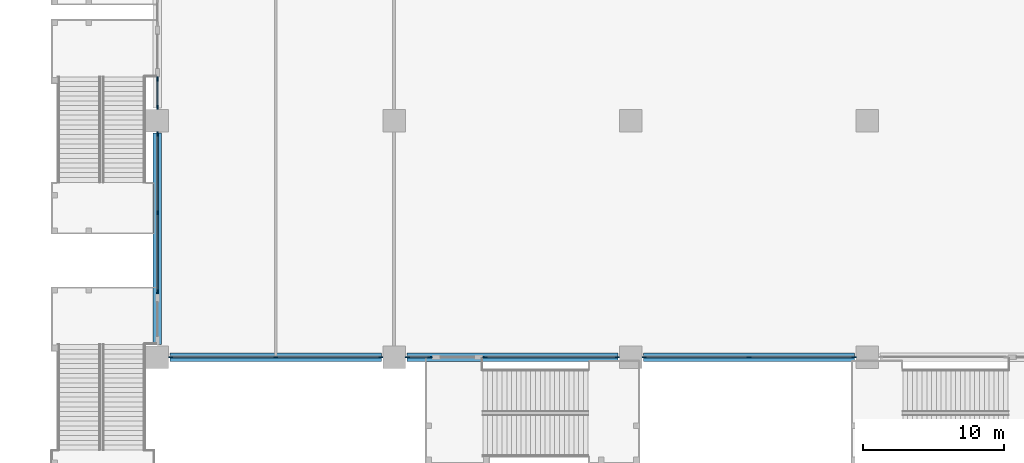
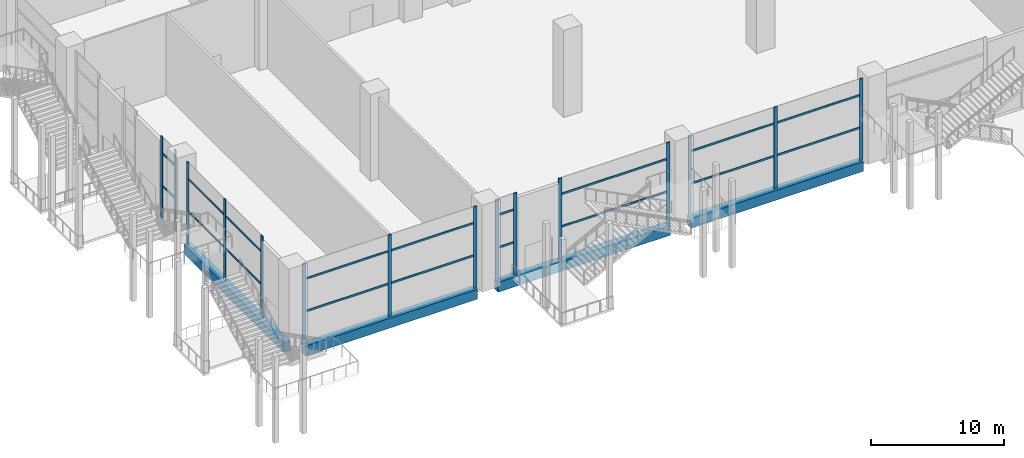
# One storey, part 4 of 52: 33 members, 4 beams, 6 elements without a shape of their own.
"""IFC4 building model written with IfcOpenShell, lengths in metres."""

from ifc_helpers import new_model, si_unit, direction, frame, origin, origin_2d, place, context, subcontext, project, spatial, rectangle, extrude, material, material_profile, profile_set, type_object, element, aggregate, save


model = new_model("IFC4")

# Units and contexts
model_context = context("Model", 3, precision=1e-05, world=origin(), true_north=direction((0.0, 1.0)))
body_context = subcontext(model_context, "Body", "Model", "MODEL_VIEW")
ifc_project = project(units=[si_unit("LENGTHUNIT", "METRE"), si_unit("AREAUNIT", "SQUARE_METRE"), si_unit("VOLUMEUNIT", "CUBIC_METRE"), si_unit("PLANEANGLEUNIT", "RADIAN"), si_unit("MASSUNIT", "GRAM", prefix="KILO")], contexts=[model_context])

# Site, building, storey
site_placement = place(None, origin())
site = spatial("IfcSite", under=ifc_project, at=site_placement, CompositionType="ELEMENT")
building_placement = place(site_placement, origin())
building = spatial("IfcBuilding", under=site, at=building_placement, Name="Candeia Pilgrim Tower and Theatre", CompositionType="ELEMENT")
storey_placement = place(building_placement, frame((0.0, 0.0, 9.0)))
storey = spatial("IfcBuildingStorey", under=building, at=storey_placement, Name="L01", CompositionType="ELEMENT", Elevation=9.0)

# Curtain wall, members
ifc_material_1 = material(Name="Aluminium framed podium glazing", Category="aluminium")
curtain_wall_type = type_object("IfcCurtainWallType", Name="CW-P curtain wall", PredefinedType="NOTDEFINED", material=ifc_material_1)
curtain_wall_1_placement = place(storey_placement, origin())
curtain_wall_1 = element("IfcCurtainWall", 1, at=curtain_wall_1_placement, inside=storey, type_object=curtain_wall_type, Name="Curtain wall CW-P L01.000", PredefinedType="NOTDEFINED")
ifc_material_2 = material(Name="Anodised aluminium", Category="aluminium")
ifc_material_profile_1 = material_profile(ifc_material_2, rectangle(XDim=0.080078125, YDim=0.300048828125, at=origin_2d()))
ifc_profile_set_1 = profile_set([ifc_material_profile_1], Name="Anodised aluminium")
member_type_1 = type_object("IfcMemberType", Name="CW-P mullion 80x300", PredefinedType="MULLION", material=ifc_profile_set_1)
member_1_placement = place(storey_placement, frame((58.800048828125, 69.050048828125, 0.0), z_axis=(0.0, 0.0, 1.0), x_axis=(-1.0, 0.0, 0.0)))
member_1 = element("IfcMember", 2, at=member_1_placement, type_object=member_type_1, Name="CW-P mullion 1", PredefinedType="MULLION", context=body_context, shape_type="SweptSolid", body=[
    extrude(rectangle(XDim=0.080078125, YDim=0.300048828125, at=origin_2d()), origin(), (0.0, 0.0, 1.0), 7.5),
])
member_2_placement = place(storey_placement, frame((58.800048828125, 74.64990234375, 0.0), z_axis=(0.0, 0.0, 1.0), x_axis=(-1.0, 0.0, 0.0)))
member_2 = element("IfcMember", 3, at=member_2_placement, type_object=member_type_1, Name="CW-P mullion 2", PredefinedType="MULLION", context=body_context, shape_type="SweptSolid", body=[
    extrude(rectangle(XDim=0.080078125, YDim=0.300048828125, at=origin_2d()), origin(), (0.0, 0.0, 1.0), 7.5),
])
member_3_placement = place(storey_placement, frame((58.800048828125, 80.25, 0.0), z_axis=(0.0, 0.0, 1.0), x_axis=(-1.0, 0.0, 0.0)))
member_3 = element("IfcMember", 4, at=member_3_placement, type_object=member_type_1, Name="CW-P mullion 3", PredefinedType="MULLION", context=body_context, shape_type="SweptSolid", body=[
    extrude(rectangle(XDim=0.080078125, YDim=0.300048828125, at=origin_2d()), origin(), (0.0, 0.0, 1.0), 7.5),
])

curtain_wall_2_placement = place(storey_placement, origin())
curtain_wall_2 = element("IfcCurtainWall", 5, at=curtain_wall_2_placement, inside=storey, type_object=curtain_wall_type, Name="Curtain wall CW-P L01.010", PredefinedType="NOTDEFINED")
member_4_placement = place(storey_placement, frame((58.800048828125, 82.14990234375, 0.0), z_axis=(0.0, 0.0, 1.0), x_axis=(-1.0, 0.0, 0.0)))
member_4 = element("IfcMember", 6, at=member_4_placement, type_object=member_type_1, Name="CW-P mullion 1", PredefinedType="MULLION", context=body_context, shape_type="SweptSolid", body=[
    extrude(rectangle(XDim=0.080078125, YDim=0.300048828125, at=origin_2d()), origin(), (0.0, 0.0, 1.0), 7.5),
])
member_5_placement = place(storey_placement, frame((58.800048828125, 84.14990234375, 0.0), z_axis=(0.0, 0.0, 1.0), x_axis=(-1.0, 0.0, 0.0)))
member_5 = element("IfcMember", 7, at=member_5_placement, type_object=member_type_1, Name="CW-P mullion 2", PredefinedType="MULLION", context=body_context, shape_type="SweptSolid", body=[
    extrude(rectangle(XDim=0.080078125, YDim=0.300048828125, at=origin_2d()), origin(), (0.0, 0.0, 1.0), 7.5),
])

curtain_wall_3_placement = place(storey_placement, origin())
curtain_wall_3 = element("IfcCurtainWall", 8, at=curtain_wall_3_placement, inside=storey, type_object=curtain_wall_type, Name="Curtain wall CW-P L01.330", PredefinedType="NOTDEFINED")
member_6_placement = place(storey_placement, frame((108.25, 64.39990234375, 0.0), z_axis=(0.0, 0.0, 1.0), x_axis=(0.0, -1.0, 0.0)))
member_6 = element("IfcMember", 9, at=member_6_placement, type_object=member_type_1, Name="CW-P mullion 1", PredefinedType="MULLION", context=body_context, shape_type="SweptSolid", body=[
    extrude(rectangle(XDim=0.080078125, YDim=0.300048828125, at=origin_2d()), origin(), (0.0, 0.0, 1.0), 7.5),
])
member_7_placement = place(storey_placement, frame((100.800048828125, 64.39990234375, 0.0), z_axis=(0.0, 0.0, 1.0), x_axis=(0.0, -1.0, 0.0)))
member_7 = element("IfcMember", 10, at=member_7_placement, type_object=member_type_1, Name="CW-P mullion 2", PredefinedType="MULLION", context=body_context, shape_type="SweptSolid", body=[
    extrude(rectangle(XDim=0.080078125, YDim=0.300048828125, at=origin_2d()), origin(), (0.0, 0.0, 1.0), 7.5),
])
member_8_placement = place(storey_placement, frame((93.35009765625, 64.39990234375, 0.0), z_axis=(0.0, 0.0, 1.0), x_axis=(0.0, -1.0, 0.0)))
member_8 = element("IfcMember", 11, at=member_8_placement, type_object=member_type_1, Name="CW-P mullion 3", PredefinedType="MULLION", context=body_context, shape_type="SweptSolid", body=[
    extrude(rectangle(XDim=0.080078125, YDim=0.300048828125, at=origin_2d()), origin(), (0.0, 0.0, 1.0), 7.5),
])

curtain_wall_4_placement = place(storey_placement, origin())
curtain_wall_4 = element("IfcCurtainWall", 12, at=curtain_wall_4_placement, inside=storey, type_object=curtain_wall_type, Name="Curtain wall CW-P L01.340", PredefinedType="NOTDEFINED")
member_9_placement = place(storey_placement, frame((91.449951171875, 64.39990234375, 0.0), z_axis=(0.0, 0.0, 1.0), x_axis=(0.0, -1.0, 0.0)))
member_9 = element("IfcMember", 13, at=member_9_placement, type_object=member_type_1, Name="CW-P mullion 1", PredefinedType="MULLION", context=body_context, shape_type="SweptSolid", body=[
    extrude(rectangle(XDim=0.080078125, YDim=0.300048828125, at=origin_2d()), origin(), (0.0, 0.0, 1.0), 7.5),
])
member_10_placement = place(storey_placement, frame((82.050048828125, 64.39990234375, 0.0), z_axis=(0.0, 0.0, 1.0), x_axis=(0.0, -1.0, 0.0)))
member_10 = element("IfcMember", 14, at=member_10_placement, type_object=member_type_1, Name="CW-P mullion 2", PredefinedType="MULLION", context=body_context, shape_type="SweptSolid", body=[
    extrude(rectangle(XDim=0.080078125, YDim=0.300048828125, at=origin_2d()), origin(), (0.0, 0.0, 1.0), 7.5),
])

curtain_wall_5_placement = place(storey_placement, origin())
curtain_wall_5 = element("IfcCurtainWall", 15, at=curtain_wall_5_placement, inside=storey, type_object=curtain_wall_type, Name="Curtain wall CW-P L01.341", PredefinedType="NOTDEFINED")
member_11_placement = place(storey_placement, frame((78.14990234375, 64.39990234375, 0.0), z_axis=(0.0, 0.0, 1.0), x_axis=(0.0, -1.0, 0.0)))
member_11 = element("IfcMember", 16, at=member_11_placement, type_object=member_type_1, Name="CW-P mullion 1", PredefinedType="MULLION", context=body_context, shape_type="SweptSolid", body=[
    extrude(rectangle(XDim=0.080078125, YDim=0.300048828125, at=origin_2d()), origin(), (0.0, 0.0, 1.0), 7.5),
])
member_12_placement = place(storey_placement, frame((76.550048828125, 64.39990234375, 0.0), z_axis=(0.0, 0.0, 1.0), x_axis=(0.0, -1.0, 0.0)))
member_12 = element("IfcMember", 17, at=member_12_placement, type_object=member_type_1, Name="CW-P mullion 2", PredefinedType="MULLION", context=body_context, shape_type="SweptSolid", body=[
    extrude(rectangle(XDim=0.080078125, YDim=0.300048828125, at=origin_2d()), origin(), (0.0, 0.0, 1.0), 7.5),
])

curtain_wall_6_placement = place(storey_placement, origin())
curtain_wall_6 = element("IfcCurtainWall", 18, at=curtain_wall_6_placement, inside=storey, type_object=curtain_wall_type, Name="Curtain wall CW-P L01.350", PredefinedType="NOTDEFINED")
member_13_placement = place(storey_placement, frame((74.64990234375, 64.39990234375, 0.0), z_axis=(0.0, 0.0, 1.0), x_axis=(0.0, -1.0, 0.0)))
member_13 = element("IfcMember", 19, at=member_13_placement, type_object=member_type_1, Name="CW-P mullion 1", PredefinedType="MULLION", context=body_context, shape_type="SweptSolid", body=[
    extrude(rectangle(XDim=0.080078125, YDim=0.300048828125, at=origin_2d()), origin(), (0.0, 0.0, 1.0), 7.5),
])
member_14_placement = place(storey_placement, frame((67.199951171875, 64.39990234375, 0.0), z_axis=(0.0, 0.0, 1.0), x_axis=(0.0, -1.0, 0.0)))
member_14 = element("IfcMember", 20, at=member_14_placement, type_object=member_type_1, Name="CW-P mullion 2", PredefinedType="MULLION", context=body_context, shape_type="SweptSolid", body=[
    extrude(rectangle(XDim=0.080078125, YDim=0.300048828125, at=origin_2d()), origin(), (0.0, 0.0, 1.0), 7.5),
])
member_15_placement = place(storey_placement, frame((59.75, 64.39990234375, 0.0), z_axis=(0.0, 0.0, 1.0), x_axis=(0.0, -1.0, 0.0)))
member_15 = element("IfcMember", 21, at=member_15_placement, type_object=member_type_1, Name="CW-P mullion 3", PredefinedType="MULLION", context=body_context, shape_type="SweptSolid", body=[
    extrude(rectangle(XDim=0.080078125, YDim=0.300048828125, at=origin_2d()), origin(), (0.0, 0.0, 1.0), 7.5),
])

# Member
ifc_material_profile_2 = material_profile(ifc_material_2, rectangle(XDim=0.080078125, YDim=0.179931640625, at=origin_2d()))
ifc_profile_set_2 = profile_set([ifc_material_profile_2], Name="Anodised aluminium")
member_type_2 = type_object("IfcMemberType", Name="CW-P transom 80x180", PredefinedType="USERDEFINED", material=ifc_profile_set_2)
member_16_placement = place(storey_placement, frame((58.800048828125, 69.090087890625, 3.0), z_axis=(0.0, 1.0, 0.0), x_axis=(-1.0, 0.0, 0.0)))
member_16 = element("IfcMember", 22, at=member_16_placement, type_object=member_type_2, Name="CW-P transom 1.1", ObjectType="TRANSOM", PredefinedType="USERDEFINED", context=body_context, shape_type="SweptSolid", body=[
    extrude(rectangle(XDim=0.080078125, YDim=0.179931640625, at=origin_2d()), origin(), (0.0, 0.0, 1.0), 5.52001953125),
])

member_17_placement = place(storey_placement, frame((58.800048828125, 69.090087890625, 6.0), z_axis=(0.0, 1.0, 0.0), x_axis=(-1.0, 0.0, 0.0)))
member_17 = element("IfcMember", 23, at=member_17_placement, type_object=member_type_2, Name="CW-P transom 1.2", ObjectType="TRANSOM", PredefinedType="USERDEFINED", context=body_context, shape_type="SweptSolid", body=[
    extrude(rectangle(XDim=0.080078125, YDim=0.179931640625, at=origin_2d()), origin(), (0.0, 0.0, 1.0), 5.52001953125),
])

member_18_placement = place(storey_placement, frame((58.800048828125, 74.68994140625, 3.0), z_axis=(0.0, 1.0, 0.0), x_axis=(-1.0, 0.0, 0.0)))
member_18 = element("IfcMember", 24, at=member_18_placement, type_object=member_type_2, Name="CW-P transom 2.1", ObjectType="TRANSOM", PredefinedType="USERDEFINED", context=body_context, shape_type="SweptSolid", body=[
    extrude(rectangle(XDim=0.080078125, YDim=0.179931640625, at=origin_2d()), origin(), (0.0, 0.0, 1.0), 5.52001953125),
])

member_19_placement = place(storey_placement, frame((58.800048828125, 74.68994140625, 6.0), z_axis=(0.0, 1.0, 0.0), x_axis=(-1.0, 0.0, 0.0)))
member_19 = element("IfcMember", 25, at=member_19_placement, type_object=member_type_2, Name="CW-P transom 2.2", ObjectType="TRANSOM", PredefinedType="USERDEFINED", context=body_context, shape_type="SweptSolid", body=[
    extrude(rectangle(XDim=0.080078125, YDim=0.179931640625, at=origin_2d()), origin(), (0.0, 0.0, 1.0), 5.52001953125),
])

aggregate(curtain_wall_1, [member_1, member_2, member_3, member_16, member_17, member_18, member_19])

member_20_placement = place(storey_placement, frame((58.800048828125, 82.18994140625, 3.0), z_axis=(0.0, 1.0, 0.0), x_axis=(-1.0, 0.0, 0.0)))
member_20 = element("IfcMember", 26, at=member_20_placement, type_object=member_type_2, Name="CW-P transom 1.1", ObjectType="TRANSOM", PredefinedType="USERDEFINED", context=body_context, shape_type="SweptSolid", body=[
    extrude(rectangle(XDim=0.080078125, YDim=0.179931640625, at=origin_2d()), origin(), (0.0, 0.0, 1.0), 1.920166015625),
])

member_21_placement = place(storey_placement, frame((58.800048828125, 82.18994140625, 6.0), z_axis=(0.0, 1.0, 0.0), x_axis=(-1.0, 0.0, 0.0)))
member_21 = element("IfcMember", 27, at=member_21_placement, type_object=member_type_2, Name="CW-P transom 1.2", ObjectType="TRANSOM", PredefinedType="USERDEFINED", context=body_context, shape_type="SweptSolid", body=[
    extrude(rectangle(XDim=0.080078125, YDim=0.179931640625, at=origin_2d()), origin(), (0.0, 0.0, 1.0), 1.920166015625),
])

aggregate(curtain_wall_2, [member_4, member_5, member_20, member_21])

member_22_placement = place(storey_placement, frame((108.2099609375, 64.39990234375, 3.0), z_axis=(-1.0, 0.0, 0.0), x_axis=(0.0, -1.0, 0.0)))
member_22 = element("IfcMember", 28, at=member_22_placement, type_object=member_type_2, Name="CW-P transom 1.1", ObjectType="TRANSOM", PredefinedType="USERDEFINED", context=body_context, shape_type="SweptSolid", body=[
    extrude(rectangle(XDim=0.080078125, YDim=0.179931640625, at=origin_2d()), origin(), (0.0, 0.0, 1.0), 7.369873046875),
])

member_23_placement = place(storey_placement, frame((108.2099609375, 64.39990234375, 6.0), z_axis=(-1.0, 0.0, 0.0), x_axis=(0.0, -1.0, 0.0)))
member_23 = element("IfcMember", 29, at=member_23_placement, type_object=member_type_2, Name="CW-P transom 1.2", ObjectType="TRANSOM", PredefinedType="USERDEFINED", context=body_context, shape_type="SweptSolid", body=[
    extrude(rectangle(XDim=0.080078125, YDim=0.179931640625, at=origin_2d()), origin(), (0.0, 0.0, 1.0), 7.369873046875),
])

member_24_placement = place(storey_placement, frame((100.760009765625, 64.39990234375, 3.0), z_axis=(-1.0, 0.0, 0.0), x_axis=(0.0, -1.0, 0.0)))
member_24 = element("IfcMember", 30, at=member_24_placement, type_object=member_type_2, Name="CW-P transom 2.1", ObjectType="TRANSOM", PredefinedType="USERDEFINED", context=body_context, shape_type="SweptSolid", body=[
    extrude(rectangle(XDim=0.080078125, YDim=0.179931640625, at=origin_2d()), origin(), (0.0, 0.0, 1.0), 7.3701171875),
])

member_25_placement = place(storey_placement, frame((100.760009765625, 64.39990234375, 6.0), z_axis=(-1.0, 0.0, 0.0), x_axis=(0.0, -1.0, 0.0)))
member_25 = element("IfcMember", 31, at=member_25_placement, type_object=member_type_2, Name="CW-P transom 2.2", ObjectType="TRANSOM", PredefinedType="USERDEFINED", context=body_context, shape_type="SweptSolid", body=[
    extrude(rectangle(XDim=0.080078125, YDim=0.179931640625, at=origin_2d()), origin(), (0.0, 0.0, 1.0), 7.3701171875),
])

aggregate(curtain_wall_3, [member_6, member_7, member_8, member_22, member_23, member_24, member_25])

member_26_placement = place(storey_placement, frame((91.409912109375, 64.39990234375, 3.0), z_axis=(-1.0, 0.0, 0.0), x_axis=(0.0, -1.0, 0.0)))
member_26 = element("IfcMember", 32, at=member_26_placement, type_object=member_type_2, Name="CW-P transom 1.1", ObjectType="TRANSOM", PredefinedType="USERDEFINED", context=body_context, shape_type="SweptSolid", body=[
    extrude(rectangle(XDim=0.080078125, YDim=0.179931640625, at=origin_2d()), origin(), (0.0, 0.0, 1.0), 9.31982421875),
])

member_27_placement = place(storey_placement, frame((91.409912109375, 64.39990234375, 6.0), z_axis=(-1.0, 0.0, 0.0), x_axis=(0.0, -1.0, 0.0)))
member_27 = element("IfcMember", 33, at=member_27_placement, type_object=member_type_2, Name="CW-P transom 1.2", ObjectType="TRANSOM", PredefinedType="USERDEFINED", context=body_context, shape_type="SweptSolid", body=[
    extrude(rectangle(XDim=0.080078125, YDim=0.179931640625, at=origin_2d()), origin(), (0.0, 0.0, 1.0), 9.31982421875),
])

aggregate(curtain_wall_4, [member_9, member_10, member_26, member_27])

member_28_placement = place(storey_placement, frame((78.110107421875, 64.39990234375, 3.0), z_axis=(-1.0, 0.0, 0.0), x_axis=(0.0, -1.0, 0.0)))
member_28 = element("IfcMember", 34, at=member_28_placement, type_object=member_type_2, Name="CW-P transom 1.1", ObjectType="TRANSOM", PredefinedType="USERDEFINED", context=body_context, shape_type="SweptSolid", body=[
    extrude(rectangle(XDim=0.080078125, YDim=0.179931640625, at=origin_2d()), origin(), (0.0, 0.0, 1.0), 1.52001953125),
])

member_29_placement = place(storey_placement, frame((78.110107421875, 64.39990234375, 6.0), z_axis=(-1.0, 0.0, 0.0), x_axis=(0.0, -1.0, 0.0)))
member_29 = element("IfcMember", 35, at=member_29_placement, type_object=member_type_2, Name="CW-P transom 1.2", ObjectType="TRANSOM", PredefinedType="USERDEFINED", context=body_context, shape_type="SweptSolid", body=[
    extrude(rectangle(XDim=0.080078125, YDim=0.179931640625, at=origin_2d()), origin(), (0.0, 0.0, 1.0), 1.52001953125),
])

aggregate(curtain_wall_5, [member_11, member_12, member_28, member_29])

member_30_placement = place(storey_placement, frame((74.610107421875, 64.39990234375, 3.0), z_axis=(-1.0, 0.0, 0.0), x_axis=(0.0, -1.0, 0.0)))
member_30 = element("IfcMember", 36, at=member_30_placement, type_object=member_type_2, Name="CW-P transom 1.1", ObjectType="TRANSOM", PredefinedType="USERDEFINED", context=body_context, shape_type="SweptSolid", body=[
    extrude(rectangle(XDim=0.080078125, YDim=0.179931640625, at=origin_2d()), origin(), (0.0, 0.0, 1.0), 7.3701171875),
])

member_31_placement = place(storey_placement, frame((74.610107421875, 64.39990234375, 6.0), z_axis=(-1.0, 0.0, 0.0), x_axis=(0.0, -1.0, 0.0)))
member_31 = element("IfcMember", 37, at=member_31_placement, type_object=member_type_2, Name="CW-P transom 1.2", ObjectType="TRANSOM", PredefinedType="USERDEFINED", context=body_context, shape_type="SweptSolid", body=[
    extrude(rectangle(XDim=0.080078125, YDim=0.179931640625, at=origin_2d()), origin(), (0.0, 0.0, 1.0), 7.3701171875),
])

member_32_placement = place(storey_placement, frame((67.159912109375, 64.39990234375, 3.0), z_axis=(-1.0, 0.0, 0.0), x_axis=(0.0, -1.0, 0.0)))
member_32 = element("IfcMember", 38, at=member_32_placement, type_object=member_type_2, Name="CW-P transom 2.1", ObjectType="TRANSOM", PredefinedType="USERDEFINED", context=body_context, shape_type="SweptSolid", body=[
    extrude(rectangle(XDim=0.080078125, YDim=0.179931640625, at=origin_2d()), origin(), (0.0, 0.0, 1.0), 7.369873046875),
])

member_33_placement = place(storey_placement, frame((67.159912109375, 64.39990234375, 6.0), z_axis=(-1.0, 0.0, 0.0), x_axis=(0.0, -1.0, 0.0)))
member_33 = element("IfcMember", 39, at=member_33_placement, type_object=member_type_2, Name="CW-P transom 2.2", ObjectType="TRANSOM", PredefinedType="USERDEFINED", context=body_context, shape_type="SweptSolid", body=[
    extrude(rectangle(XDim=0.080078125, YDim=0.179931640625, at=origin_2d()), origin(), (0.0, 0.0, 1.0), 7.369873046875),
])

aggregate(curtain_wall_6, [member_13, member_14, member_15, member_30, member_31, member_32, member_33])

# Beams
ifc_material_3 = material(Name="Concrete C80/95", Category="concrete")
ifc_material_profile_3 = material_profile(ifc_material_3, rectangle(XDim=0.60009765625, YDim=0.89990234375, at=origin_2d()))
ifc_profile_set_3 = profile_set([ifc_material_profile_3], Name="Concrete C80/95")
beam_type = type_object("IfcBeamType", Name="RC 600x900 C80/95", PredefinedType="BEAM", material=ifc_profile_set_3)
for number, where, z_axis, x_axis, name in (
    (40, (58.800048828125, 80.300048828125, -0.449951171875), (0.0, -1.0, 0.0), (1.0, 0.0, 0.0), "Spandrel beam L01-22"),
    (41, (59.699951171875, 64.39990234375, -0.449951171875), (1.0, 0.0, 0.0), (0.0, 1.0, 0.0), "Spandrel beam L01-23"),
    (42, (76.5, 64.39990234375, -0.449951171875), (1.0, 0.0, 0.0), (0.0, 1.0, 0.0), "Spandrel beam L01-24"),
    (43, (93.300048828125, 64.39990234375, -0.449951171875), (1.0, 0.0, 0.0), (0.0, 1.0, 0.0), "Spandrel beam L01-25"),
):
    element("IfcBeam", number, at=place(storey_placement, frame(where, z_axis=z_axis, x_axis=x_axis)), inside=storey, type_object=beam_type, Name=name, PredefinedType="BEAM", context=body_context, shape_type="SweptSolid", body=[
        extrude(rectangle(XDim=0.60009765625, YDim=0.89990234375, at=origin_2d()), origin(), (0.0, 0.0, 1.0), 15.0),
    ])

save(model, "model.ifc")
